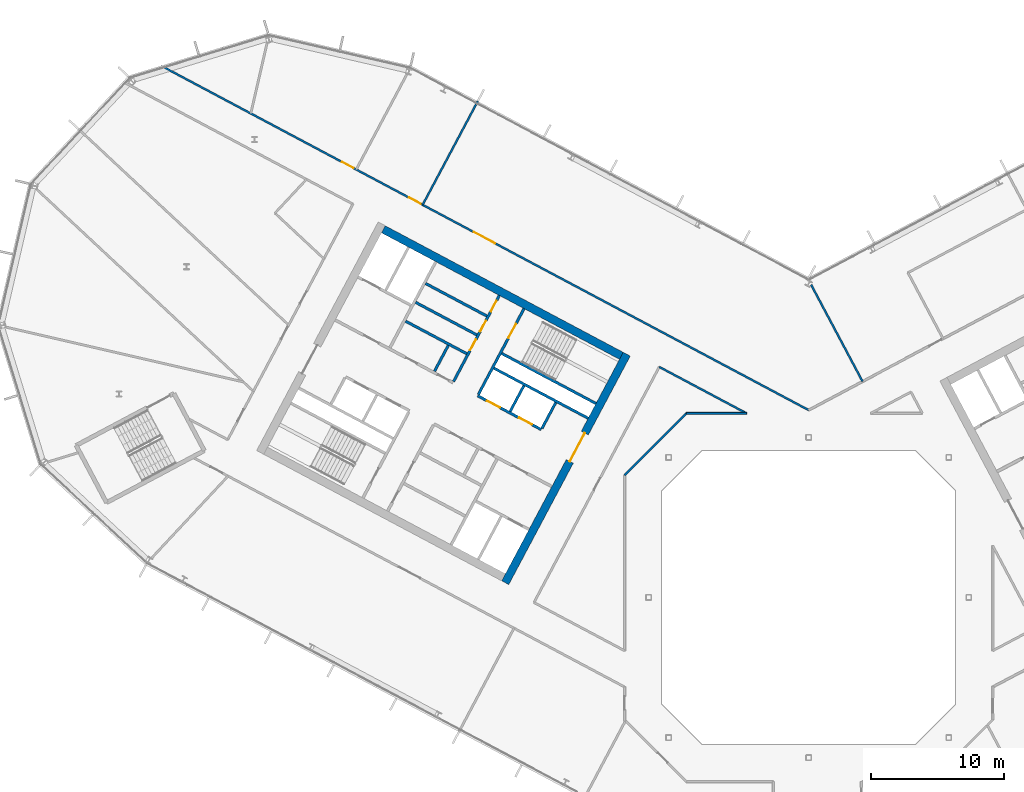
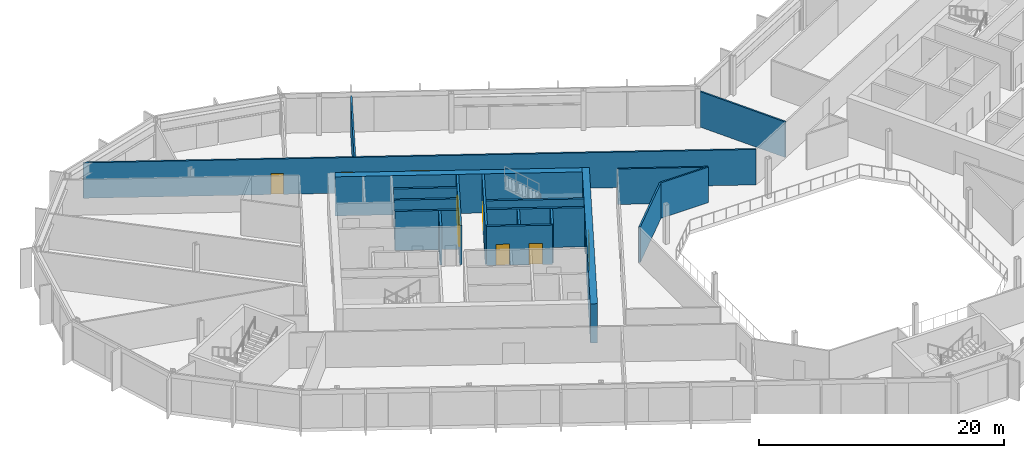
# One storey, part 14 of 26: 19 walls, 10 doors, 10 openings.
"""IFC4 building model written with IfcOpenShell, lengths in metres."""

from ifc_helpers import new_model, si_unit, direction, frame, frame_2d, origin, place, context, subcontext, project, spatial, rectangle, extrude, material, layer, layer_set, type_object, element, fill, save


model = new_model("IFC4")

# Units and contexts
model_context = context("Model", 3, precision=1e-05, world=origin(), true_north=direction((0.0, 1.0)))
body_context = subcontext(model_context, "Body", "Model", "MODEL_VIEW")
ifc_project = project(units=[si_unit("LENGTHUNIT", "METRE"), si_unit("AREAUNIT", "SQUARE_METRE"), si_unit("VOLUMEUNIT", "CUBIC_METRE"), si_unit("PLANEANGLEUNIT", "RADIAN"), si_unit("MASSUNIT", "GRAM", prefix="KILO")], contexts=[model_context])

# Site, building, storey
site_placement = place(None, origin())
site = spatial("IfcSite", under=ifc_project, at=site_placement, CompositionType="ELEMENT")
building_placement = place(site_placement, origin())
building = spatial("IfcBuilding", under=site, at=building_placement, Name="Cormorant Relay Tower", CompositionType="ELEMENT")
storey_placement = place(building_placement, frame((0.0, 0.0, 197.39990234375)))
storey = spatial("IfcBuildingStorey", under=building, at=storey_placement, Name="L42", CompositionType="ELEMENT", Elevation=197.39990234375)

# Walls
ifc_material_1 = material(Name="Concrete 40 MPa", Category="concrete")
ifc_layer_1 = layer(ifc_material_1, 0.199951171875)
ifc_layer_set_1 = layer_set([ifc_layer_1], Name="Core internal wall 200")
wall_type_1 = type_object("IfcWallType", Name="Core internal wall 200", PredefinedType="SOLIDWALL", material=ifc_layer_set_1)
for number, where, z_axis, x_axis, name in (
    (1, (-21.34375, 15.87890625, 0.0), (0.0, 0.0, 1.0), (-0.4694473164, -0.882960484464, 0.0), "L42 core A shaft and room wall"),
    (2, (-27.01220703125, 18.892822265625, 0.0), (0.0, 0.0, 1.0), (-0.4694473164, -0.882960484464, 0.0), "L42 core A shaft and room wall"),
):
    element("IfcWall", number, at=place(storey_placement, frame(where, z_axis=z_axis, x_axis=x_axis)), inside=storey, type_object=wall_type_1, Name=name, PredefinedType="SOLIDWALL", context=body_context, shape_type="SweptSolid", body=[
        extrude(rectangle(XDim=2.199951171875, YDim=0.199951171875, at=frame_2d((1.10009765625, 0.0))), origin(), (0.0, 0.0, 1.0), 3.900146484375),
    ])
for number, where, z_axis, x_axis, name in (
    (3, (-24.120849609375, 21.093017578125, 0.0), (0.0, 0.0, 1.0), (-0.882953967957, 0.469459572775, 0.0), "L42 core A shaft and room wall"),
    (4, (-24.8720703125, 19.680419921875, 0.0), (0.0, 0.0, 1.0), (-0.882953967957, 0.469459572775, 0.0), "L42 core A shaft and room wall"),
):
    element("IfcWall", number, at=place(storey_placement, frame(where, z_axis=z_axis, x_axis=x_axis)), inside=storey, type_object=wall_type_1, Name=name, PredefinedType="SOLIDWALL", context=body_context, shape_type="SweptSolid", body=[
        extrude(rectangle(XDim=5.199951171875, YDim=0.199951171875, at=frame_2d((2.60009765625, 0.0))), origin(), (0.0, 0.0, 1.0), 3.900146484375),
    ])
ifc_material_2 = material(Name="Concrete 50 MPa", Category="concrete")
ifc_layer_2 = layer(ifc_material_2, 0.199951171875)
ifc_layer_set_2 = layer_set([ifc_layer_2], Name="Core shaft wall 200")
wall_type_2 = type_object("IfcWallType", Name="Core shaft wall 200", PredefinedType="SHEAR", material=ifc_layer_set_2)
wall_1_placement = place(storey_placement, frame((-18.959716796875, 14.611328125, 0.0), z_axis=(0.0, 0.0, 1.0), x_axis=(-0.4694473164, -0.882960484464, 0.0)))
element("IfcWall", 5, at=wall_1_placement, inside=storey, type_object=wall_type_2, Name="L42 core A shaft wall", PredefinedType="SHEAR", context=body_context, shape_type="SweptSolid", body=[
    extrude(rectangle(XDim=2.199951171875, YDim=0.199951171875, at=frame_2d((1.10009765625, 0.0))), origin(), (0.0, 0.0, 1.0), 3.900146484375),
])

# Wall, opening, door
wall_2_placement = place(storey_placement, frame((-21.333251953125, 21.6494140625, 0.0), z_axis=(0.0, 0.0, 1.0), x_axis=(-0.469494272526, -0.882935517501, 0.0)))
wall_2 = element("IfcWall", 6, at=wall_2_placement, inside=storey, type_object=wall_type_2, Name="L42 core A shaft wall", PredefinedType="SHEAR", context=body_context, shape_type="SweptSolid", body=[
    extrude(rectangle(XDim=7.2998046875, YDim=0.199951171875, at=frame_2d((3.64990234375, 0.0))), origin(), (0.0, 0.0, 1.0), 3.900146484375),
])
opening_1_placement = place(wall_2_placement, frame((1.300048828125, 0.0, 0.0)))
opening_1 = element("IfcOpeningElement", 7, at=opening_1_placement, cuts=wall_2, Name="Opening CDB-038", PredefinedType="OPENING", context=body_context, shape_type="SweptSolid", body=[
    extrude(rectangle(XDim=1.199951171875, YDim=2.10009765625, at=frame_2d((0.60009765625, 1.050048828125))), frame((0.0, 0.10986328125, 0.0), z_axis=(0.0, -1.0, 0.0), x_axis=(1.0, 0.0, 0.0)), (0.0, 0.0, 1.0), 0.219970703125),
])
ifc_material_3 = material(Name="Steel fire door", Category="steel")
door_type_1 = type_object("IfcDoorType", Name="Core stair door 1200x2100", OperationType="SINGLE_SWING_LEFT", PredefinedType="DOOR", material=ifc_material_3)
door_1_placement = place(opening_1_placement, origin())
door_1 = element("IfcDoor", 8, at=door_1_placement, inside=storey, type_object=door_type_1, Name="Core stair door 1200x2100", OperationType="SINGLE_SWING_RIGHT", OverallHeight=2.10009765625, OverallWidth=1.199951171875, PredefinedType="DOOR", context=body_context, shape_type="SweptSolid", body=[
    extrude(rectangle(XDim=1.199951171875, YDim=2.10009765625, at=frame_2d((0.60009765625, 1.050048828125))), frame((0.0, 0.02490234375, 0.0), z_axis=(0.0, -1.0, 0.0), x_axis=(1.0, 0.0, 0.0)), (0.0, 0.0, 1.0), 0.050048828125),
])
fill(opening_1, door_1)

# Wall, openings, doors
wall_3_placement = place(storey_placement, frame((-23.1875, 22.635498046875, 0.0), z_axis=(0.0, 0.0, 1.0), x_axis=(-0.469454336211, -0.882956752176, 0.0)))
wall_3 = element("IfcWall", 9, at=wall_3_placement, inside=storey, type_object=wall_type_2, Name="L42 core A shaft wall", PredefinedType="SHEAR", context=body_context, shape_type="SweptSolid", body=[
    extrude(rectangle(XDim=7.300048828125, YDim=0.199951171875, at=frame_2d((3.64990234375, 0.0))), origin(), (0.0, 0.0, 1.0), 3.900146484375),
])
opening_2_placement = place(wall_3_placement, frame((0.449951171875, 0.0, 0.0)))
opening_2 = element("IfcOpeningElement", 10, at=opening_2_placement, cuts=wall_3, Name="Opening CDD-238", PredefinedType="OPENING", context=body_context, shape_type="SweptSolid", body=[
    extrude(rectangle(XDim=0.89990234375, YDim=2.10009765625, at=frame_2d((0.449951171875, 1.050048828125))), frame((0.0, 0.10986328125, 0.0), z_axis=(0.0, -1.0, 0.0), x_axis=(1.0, 0.0, 0.0)), (0.0, 0.0, 1.0), 0.219970703125),
])
opening_3_placement = place(wall_3_placement, frame((2.14990234375, 0.0, 0.0)))
opening_3 = element("IfcOpeningElement", 11, at=opening_3_placement, cuts=wall_3, Name="Opening CDD-239", PredefinedType="OPENING", context=body_context, shape_type="SweptSolid", body=[
    extrude(rectangle(XDim=0.89990234375, YDim=2.10009765625, at=frame_2d((0.449951171875, 1.050048828125))), frame((0.0, 0.10986328125, 0.0), z_axis=(0.0, -1.0, 0.0), x_axis=(1.0, 0.0, 0.0)), (0.0, 0.0, 1.0), 0.219970703125),
])
opening_4_placement = place(wall_3_placement, frame((3.75, 0.0, 0.0)))
opening_4 = element("IfcOpeningElement", 12, at=opening_4_placement, cuts=wall_3, Name="Opening CDD-240", PredefinedType="OPENING", context=body_context, shape_type="SweptSolid", body=[
    extrude(rectangle(XDim=0.89990234375, YDim=2.10009765625, at=frame_2d((0.449951171875, 1.050048828125))), frame((0.0, 0.10986328125, 0.0), z_axis=(0.0, -1.0, 0.0), x_axis=(1.0, 0.0, 0.0)), (0.0, 0.0, 1.0), 0.219970703125),
])
ifc_material_4 = material(Name="Steel fire door", Category="steel")
door_type_2 = type_object("IfcDoorType", Name="Core room door 900x2100", OperationType="SINGLE_SWING_LEFT", PredefinedType="DOOR", material=ifc_material_4)
door_2_placement = place(opening_2_placement, origin())
door_2 = element("IfcDoor", 13, at=door_2_placement, inside=storey, type_object=door_type_2, Name="Core room door 900x2100", OperationType="SINGLE_SWING_LEFT", OverallHeight=2.10009765625, OverallWidth=0.89990234375, PredefinedType="DOOR", context=body_context, shape_type="SweptSolid", body=[
    extrude(rectangle(XDim=0.89990234375, YDim=2.10009765625, at=frame_2d((0.449951171875, 1.050048828125))), frame((0.0, 0.02490234375, 0.0), z_axis=(0.0, -1.0, 0.0), x_axis=(1.0, 0.0, 0.0)), (0.0, 0.0, 1.0), 0.050048828125),
])
fill(opening_2, door_2)
door_3_placement = place(opening_3_placement, origin())
door_3 = element("IfcDoor", 14, at=door_3_placement, inside=storey, type_object=door_type_2, Name="Core room door 900x2100", OperationType="SINGLE_SWING_LEFT", OverallHeight=2.10009765625, OverallWidth=0.89990234375, PredefinedType="DOOR", context=body_context, shape_type="SweptSolid", body=[
    extrude(rectangle(XDim=0.89990234375, YDim=2.10009765625, at=frame_2d((0.449951171875, 1.050048828125))), frame((0.0, 0.02490234375, 0.0), z_axis=(0.0, -1.0, 0.0), x_axis=(1.0, 0.0, 0.0)), (0.0, 0.0, 1.0), 0.050048828125),
])
fill(opening_3, door_3)
door_4_placement = place(opening_4_placement, frame((0.89990234375, 0.0, 0.0), z_axis=(0.0, 0.0, 1.0), x_axis=(-1.0, 0.0, 0.0)))
door_4 = element("IfcDoor", 15, at=door_4_placement, inside=storey, type_object=door_type_2, Name="Core room door 900x2100", OperationType="SINGLE_SWING_RIGHT", OverallHeight=2.10009765625, OverallWidth=0.89990234375, PredefinedType="DOOR", context=body_context, shape_type="SweptSolid", body=[
    extrude(rectangle(XDim=0.89990234375, YDim=2.10009765625, at=frame_2d((0.449951171875, 1.050048828125))), frame((0.0, 0.02490234375, 0.0), z_axis=(0.0, -1.0, 0.0), x_axis=(1.0, 0.0, 0.0)), (0.0, 0.0, 1.0), 0.050048828125),
])
fill(opening_4, door_4)

# Walls
wall_4_placement = place(storey_placement, frame((-15.94189453125, 14.53564453125, 0.0), z_axis=(0.0, 0.0, 1.0), x_axis=(-0.882946947542, 0.469472776449, 0.0)))
element("IfcWall", 16, at=wall_4_placement, inside=storey, type_object=wall_type_2, Name="L42 core A shaft wall", PredefinedType="SHEAR", context=body_context, shape_type="SweptSolid", body=[
    extrude(rectangle(XDim=8.000244140625, YDim=0.199951171875, at=frame_2d((4.0, 0.0))), origin(), (0.0, 0.0, 1.0), 3.900146484375),
])
wall_5_placement = place(storey_placement, frame((-16.52880859375, 13.43212890625, 0.0), z_axis=(0.0, 0.0, 1.0), x_axis=(-0.88295287151, 0.469461634952, 0.0)))
element("IfcWall", 17, at=wall_5_placement, inside=storey, type_object=wall_type_2, Name="L42 core A shaft wall", PredefinedType="SHEAR", context=body_context, shape_type="SweptSolid", body=[
    extrude(rectangle(XDim=7.999755859375, YDim=0.199951171875, at=frame_2d((4.0, 0.0))), origin(), (0.0, 0.0, 1.0), 3.900146484375),
])
wall_6_placement = place(storey_placement, frame((-25.623046875, 18.267578125, 0.0), z_axis=(0.0, 0.0, 1.0), x_axis=(-0.882953967957, 0.469459572775, 0.0)))
element("IfcWall", 18, at=wall_6_placement, inside=storey, type_object=wall_type_2, Name="L42 core A shaft wall", PredefinedType="SHEAR", context=body_context, shape_type="SweptSolid", body=[
    extrude(rectangle(XDim=5.199951171875, YDim=0.199951171875, at=frame_2d((2.60009765625, 0.0))), origin(), (0.0, 0.0, 1.0), 3.900146484375),
])

# Wall, openings, doors
wall_7_placement = place(storey_placement, frame((-20.03955078125, 12.58056640625, 0.0), z_axis=(0.0, 0.0, 1.0), x_axis=(-0.882942972946, 0.469480251476, 0.0)))
wall_7 = element("IfcWall", 19, at=wall_7_placement, inside=storey, type_object=wall_type_2, Name="L42 core A shaft wall", PredefinedType="SHEAR", context=body_context, shape_type="SweptSolid", body=[
    extrude(rectangle(XDim=5.39990234375, YDim=0.199951171875, at=frame_2d((2.699951171875, 0.0))), origin(), (0.0, 0.0, 1.0), 3.900146484375),
])
opening_5_placement = place(wall_7_placement, frame((0.800048828125, 0.0, 0.0)))
opening_5 = element("IfcOpeningElement", 20, at=opening_5_placement, cuts=wall_7, Name="Opening LD1-061", PredefinedType="OPENING", context=body_context, shape_type="SweptSolid", body=[
    extrude(rectangle(XDim=1.10009765625, YDim=2.10009765625, at=frame_2d((0.550048828125, 1.050048828125))), frame((0.0, 0.10986328125, 0.0), z_axis=(0.0, -1.0, 0.0), x_axis=(1.0, 0.0, 0.0)), (0.0, 0.0, 1.0), 0.219970703125),
])
opening_6_placement = place(wall_7_placement, frame((3.5, 0.0, 0.0)))
opening_6 = element("IfcOpeningElement", 21, at=opening_6_placement, cuts=wall_7, Name="Opening LD1-062", PredefinedType="OPENING", context=body_context, shape_type="SweptSolid", body=[
    extrude(rectangle(XDim=1.10009765625, YDim=2.10009765625, at=frame_2d((0.550048828125, 1.050048828125))), frame((0.0, 0.10986328125, 0.0), z_axis=(0.0, -1.0, 0.0), x_axis=(1.0, 0.0, 0.0)), (0.0, 0.0, 1.0), 0.219970703125),
])
ifc_material_5 = material(Name="Stainless steel 316", Category="steel")
door_type_3 = type_object("IfcDoorType", Name="Lift landing door 1100x2100", OperationType="DOUBLE_DOOR_SLIDING", PredefinedType="DOOR", material=ifc_material_5)
door_5_placement = place(opening_5_placement, origin())
door_5 = element("IfcDoor", 22, at=door_5_placement, inside=storey, type_object=door_type_3, Name="MR3 landing door", OperationType="DOUBLE_DOOR_SLIDING", OverallHeight=2.10009765625, OverallWidth=1.10009765625, PredefinedType="DOOR", context=body_context, shape_type="SweptSolid", body=[
    extrude(rectangle(XDim=1.10009765625, YDim=2.10009765625, at=frame_2d((0.550048828125, 1.050048828125))), frame((0.0, 0.02490234375, 0.0), z_axis=(0.0, -1.0, 0.0), x_axis=(1.0, 0.0, 0.0)), (0.0, 0.0, 1.0), 0.050048828125),
])
fill(opening_5, door_5)
door_6_placement = place(opening_6_placement, origin())
door_6 = element("IfcDoor", 23, at=door_6_placement, inside=storey, type_object=door_type_3, Name="MR4 landing door", OperationType="DOUBLE_DOOR_SLIDING", OverallHeight=2.10009765625, OverallWidth=1.10009765625, PredefinedType="DOOR", context=body_context, shape_type="SweptSolid", body=[
    extrude(rectangle(XDim=1.10009765625, YDim=2.10009765625, at=frame_2d((0.550048828125, 1.050048828125))), frame((0.0, 0.02490234375, 0.0), z_axis=(0.0, -1.0, 0.0), x_axis=(1.0, 0.0, 0.0)), (0.0, 0.0, 1.0), 0.050048828125),
])
fill(opening_6, door_6)

# Wall, opening, door
ifc_material_6 = material(Name="Concrete 50 MPa", Category="concrete")
ifc_layer_3 = layer(ifc_material_6, 0.60009765625)
ifc_layer_set_3 = layer_set([ifc_layer_3], Name="Core wall 600")
wall_type_3 = type_object("IfcWallType", Name="Core wall 600", PredefinedType="SHEAR", material=ifc_layer_set_3)
wall_8_placement = place(storey_placement, frame((-13.634765625, 18.235595703125, 0.0), z_axis=(0.0, 0.0, 1.0), x_axis=(-0.469478769487, -0.88294376095, 0.0)))
wall_8 = element("IfcWall", 24, at=wall_8_placement, inside=storey, type_object=wall_type_3, Name="L42 core A wall", PredefinedType="SHEAR", context=body_context, shape_type="SweptSolid", body=[
    extrude(rectangle(XDim=19.400146484375, YDim=0.60009765625, at=frame_2d((9.7001953125, 0.0))), origin(), (0.0, 0.0, 1.0), 3.900146484375),
])
opening_7_placement = place(wall_8_placement, frame((6.699951171875, 0.0, 0.0)))
opening_7 = element("IfcOpeningElement", 25, at=opening_7_placement, cuts=wall_8, Name="Opening CDA-040", PredefinedType="OPENING", context=body_context, shape_type="SweptSolid", body=[
    extrude(rectangle(XDim=2.39990234375, YDim=2.39990234375, at=frame_2d((1.199951171875, 1.199951171875))), frame((0.0, 0.31005859375, 0.0), z_axis=(0.0, -1.0, 0.0), x_axis=(1.0, 0.0, 0.0)), (0.0, 0.0, 1.0), 0.6201171875),
])
ifc_material_7 = material(Name="Steel fire door", Category="steel")
door_type_4 = type_object("IfcDoorType", Name="Core lobby door 2400x2400", OperationType="DOUBLE_DOOR_SINGLE_SWING", PredefinedType="DOOR", material=ifc_material_7)
door_7_placement = place(opening_7_placement, frame((2.39990234375, 0.0, 0.0), z_axis=(0.0, 0.0, 1.0), x_axis=(-1.0, 0.0, 0.0)))
door_7 = element("IfcDoor", 26, at=door_7_placement, inside=storey, type_object=door_type_4, Name="Core lobby door 2400x2400", OperationType="DOUBLE_DOOR_SINGLE_SWING", OverallHeight=2.39990234375, OverallWidth=2.39990234375, PredefinedType="DOOR", context=body_context, shape_type="SweptSolid", body=[
    extrude(rectangle(XDim=2.39990234375, YDim=2.39990234375, at=frame_2d((1.199951171875, 1.199951171875))), frame((0.0, 0.02490234375, 0.0), z_axis=(0.0, -1.0, 0.0), x_axis=(1.0, 0.0, 0.0)), (0.0, 0.0, 1.0), 0.050048828125),
])
fill(opening_7, door_7)

# Wall
wall_9_placement = place(storey_placement, frame((-14.04052734375, 18.111572265625, 0.0), z_axis=(0.0, 0.0, 1.0), x_axis=(-0.882947755831, 0.46947125628, 0.0)))
element("IfcWall", 27, at=wall_9_placement, inside=storey, type_object=wall_type_3, Name="L42 core A wall", PredefinedType="SHEAR", context=body_context, shape_type="SweptSolid", body=[
    extrude(rectangle(XDim=20.2001953125, YDim=0.60009765625, at=frame_2d((10.10009765625, 0.0))), origin(), (0.0, 0.0, 1.0), 3.900146484375),
])

# Wall, openings, doors
ifc_material_8 = material(Name="Gypsum board fire partition")
ifc_layer_4 = layer(ifc_material_8, 0.14990234375)
ifc_layer_set_4 = layer_set([ifc_layer_4], Name="Corridor partition 150 EI 60")
wall_type_4 = type_object("IfcWallType", Name="Corridor partition 150 EI 60", PredefinedType="PARTITIONING", material=ifc_layer_set_4)
wall_10_placement = place(storey_placement, frame((-48.541015625, 39.85400390625, 0.0), z_axis=(0.0, 0.0, 1.0), x_axis=(0.882945008423, -0.469476423372, 0.0)))
wall_10 = element("IfcWall", 28, at=wall_10_placement, inside=storey, type_object=wall_type_4, Name="wall/L42/part/011", PredefinedType="PARTITIONING", context=body_context, shape_type="SweptSolid", body=[
    extrude(rectangle(XDim=54.976318359375, YDim=0.14990234375, at=frame_2d((27.48828125, 0.0))), origin(), (0.0, 0.0, 1.0), 3.5400390625),
])
opening_8_placement = place(wall_10_placement, frame((26.550048828125, 0.0, 0.0)))
opening_8 = element("IfcOpeningElement", 29, at=opening_8_placement, cuts=wall_10, Name="Opening DD-024", PredefinedType="OPENING", context=body_context, shape_type="SweptSolid", body=[
    extrude(rectangle(XDim=1.800048828125, YDim=2.10009765625, at=frame_2d((0.89990234375, 1.050048828125))), frame((0.0, 0.0849609375, 0.0), z_axis=(0.0, -1.0, 0.0), x_axis=(1.0, 0.0, 0.0)), (0.0, 0.0, 1.0), 0.169921875),
])
opening_9_placement = place(wall_10_placement, frame((21.049072265625, 0.0, 0.0)))
opening_9 = element("IfcOpeningElement", 30, at=opening_9_placement, cuts=wall_10, Name="Opening DS-119", PredefinedType="OPENING", context=body_context, shape_type="SweptSolid", body=[
    extrude(rectangle(XDim=1.0, YDim=2.10009765625, at=frame_2d((0.5, 1.050048828125))), frame((0.0, 0.0849609375, 0.0), z_axis=(0.0, -1.0, 0.0), x_axis=(1.0, 0.0, 0.0)), (0.0, 0.0, 1.0), 0.169921875),
])
opening_10_placement = place(wall_10_placement, frame((15.35009765625, 0.0, 0.0)))
opening_10 = element("IfcOpeningElement", 31, at=opening_10_placement, cuts=wall_10, Name="Opening DS-120", PredefinedType="OPENING", context=body_context, shape_type="SweptSolid", body=[
    extrude(rectangle(XDim=1.0, YDim=2.10009765625, at=frame_2d((0.5, 1.050048828125))), frame((0.0, 0.0849609375, 0.0), z_axis=(0.0, -1.0, 0.0), x_axis=(1.0, 0.0, 0.0)), (0.0, 0.0, 1.0), 0.169921875),
])
ifc_material_9 = material(Name="Timber door leaf", Category="wood")
door_type_5 = type_object("IfcDoorType", Name="Suite door 1000x2100", OperationType="SINGLE_SWING_LEFT", PredefinedType="DOOR", material=ifc_material_9)
door_8_placement = place(opening_9_placement, origin())
door_8 = element("IfcDoor", 32, at=door_8_placement, inside=storey, type_object=door_type_5, Name="door/L42/016", OperationType="SINGLE_SWING_RIGHT", OverallHeight=2.10009765625, OverallWidth=1.0, PredefinedType="DOOR", context=body_context, shape_type="SweptSolid", body=[
    extrude(rectangle(XDim=1.0, YDim=2.10009765625, at=frame_2d((0.5, 1.050048828125))), frame((0.0, 0.02490234375, 0.0), z_axis=(0.0, -1.0, 0.0), x_axis=(1.0, 0.0, 0.0)), (0.0, 0.0, 1.0), 0.050048828125),
])
fill(opening_9, door_8)
door_9_placement = place(opening_10_placement, origin())
door_9 = element("IfcDoor", 33, at=door_9_placement, inside=storey, type_object=door_type_5, Name="door/L42/017", OperationType="SINGLE_SWING_RIGHT", OverallHeight=2.10009765625, OverallWidth=1.0, PredefinedType="DOOR", context=body_context, shape_type="SweptSolid", body=[
    extrude(rectangle(XDim=1.0, YDim=2.10009765625, at=frame_2d((0.5, 1.050048828125))), frame((0.0, 0.02490234375, 0.0), z_axis=(0.0, -1.0, 0.0), x_axis=(1.0, 0.0, 0.0)), (0.0, 0.0, 1.0), 0.050048828125),
])
fill(opening_10, door_9)
ifc_material_10 = material(Name="Timber door leaf", Category="wood")
door_type_6 = type_object("IfcDoorType", Name="Suite double door 1800x2100", OperationType="DOUBLE_DOOR_SINGLE_SWING", PredefinedType="DOOR", material=ifc_material_10)
door_10_placement = place(opening_8_placement, origin())
door_10 = element("IfcDoor", 34, at=door_10_placement, inside=storey, type_object=door_type_6, Name="door/L42/015", OperationType="DOUBLE_DOOR_SINGLE_SWING", OverallHeight=2.10009765625, OverallWidth=1.800048828125, PredefinedType="DOOR", context=body_context, shape_type="SweptSolid", body=[
    extrude(rectangle(XDim=1.800048828125, YDim=2.10009765625, at=frame_2d((0.89990234375, 1.050048828125))), frame((0.0, 0.02490234375, 0.0), z_axis=(0.0, -1.0, 0.0), x_axis=(1.0, 0.0, 0.0)), (0.0, 0.0, 1.0), 0.050048828125),
])
fill(opening_8, door_10)

# Walls
wall_11_placement = place(storey_placement, frame((-11.197998046875, 17.280029296875, 0.0), z_axis=(0.0, 0.0, 1.0), x_axis=(0.88294849999, -0.469469856717, 0.0)))
element("IfcWall", 35, at=wall_11_placement, inside=storey, type_object=wall_type_4, Name="wall/L42/part/045", PredefinedType="PARTITIONING", context=body_context, shape_type="SweptSolid", body=[
    extrude(rectangle(XDim=7.41259765625, YDim=0.14990234375, at=frame_2d((3.706298828125, 0.0))), origin(), (0.0, 0.0, 1.0), 3.5400390625),
])
wall_12_placement = place(storey_placement, frame((-4.653076171875, 13.800048828125, 0.0), z_axis=(0.0, 0.0, 1.0), x_axis=(-1.0, 0.0, 0.0)))
element("IfcWall", 36, at=wall_12_placement, inside=storey, type_object=wall_type_4, Name="wall/L42/part/046", PredefinedType="PARTITIONING", context=body_context, shape_type="SweptSolid", body=[
    extrude(rectangle(XDim=4.5068359375, YDim=0.14990234375, at=frame_2d((2.25341796875, 0.0))), origin(), (0.0, 0.0, 1.0), 3.5400390625),
])
wall_13_placement = place(storey_placement, frame((-9.159912109375, 13.800048828125, 0.0), z_axis=(0.0, 0.0, 1.0), x_axis=(-0.707106781187, -0.707106781187, 0.0)))
element("IfcWall", 37, at=wall_13_placement, inside=storey, type_object=wall_type_4, Name="wall/L42/part/047", PredefinedType="PARTITIONING", context=body_context, shape_type="SweptSolid", body=[
    extrude(rectangle(XDim=6.562255859375, YDim=0.14990234375, at=frame_2d((3.28125, 0.0))), origin(), (0.0, 0.0, 1.0), 3.5400390625),
])
ifc_material_11 = material(Name="Gypsum board partition")
ifc_layer_5 = layer(ifc_material_11, 0.14990234375)
ifc_layer_set_5 = layer_set([ifc_layer_5], Name="Tenant partition 150")
wall_type_5 = type_object("IfcWallType", Name="Tenant partition 150", PredefinedType="PARTITIONING", material=ifc_layer_set_5)
wall_14_placement = place(storey_placement, frame((-24.800048828125, 37.197021484375, 0.0), z_axis=(0.0, 0.0, 1.0), x_axis=(-0.469510830369, -0.882926712794, 0.0)))
element("IfcWall", 38, at=wall_14_placement, inside=storey, type_object=wall_type_5, Name="wall/L42/part/019", PredefinedType="PARTITIONING", context=body_context, shape_type="SweptSolid", body=[
    extrude(rectangle(XDim=8.80029296875, YDim=0.14990234375, at=frame_2d((4.400146484375, 0.0))), origin(), (0.0, 0.0, 1.0), 3.5400390625),
])
wall_15_placement = place(storey_placement, frame((0.18310546875, 23.43994140625, 0.0), z_axis=(0.0, 0.0, 1.0), x_axis=(0.469529135479, -0.882916978507, 0.0)))
element("IfcWall", 39, at=wall_15_placement, inside=storey, type_object=wall_type_5, Name="wall/L42/part/020", PredefinedType="PARTITIONING", context=body_context, shape_type="SweptSolid", body=[
    extrude(rectangle(XDim=8.210205078125, YDim=0.14990234375, at=frame_2d((4.10498046875, 0.0))), origin(), (0.0, 0.0, 1.0), 3.5400390625),
])

save(model, "model.ifc")
